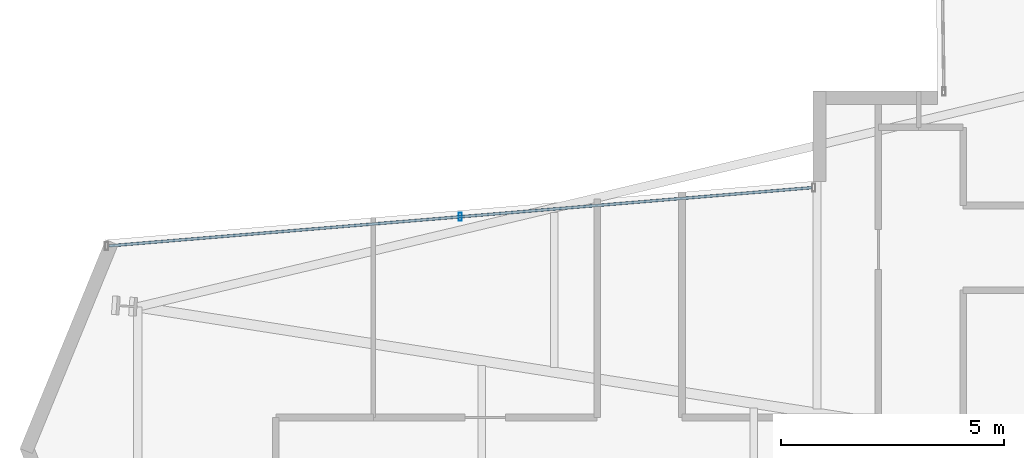
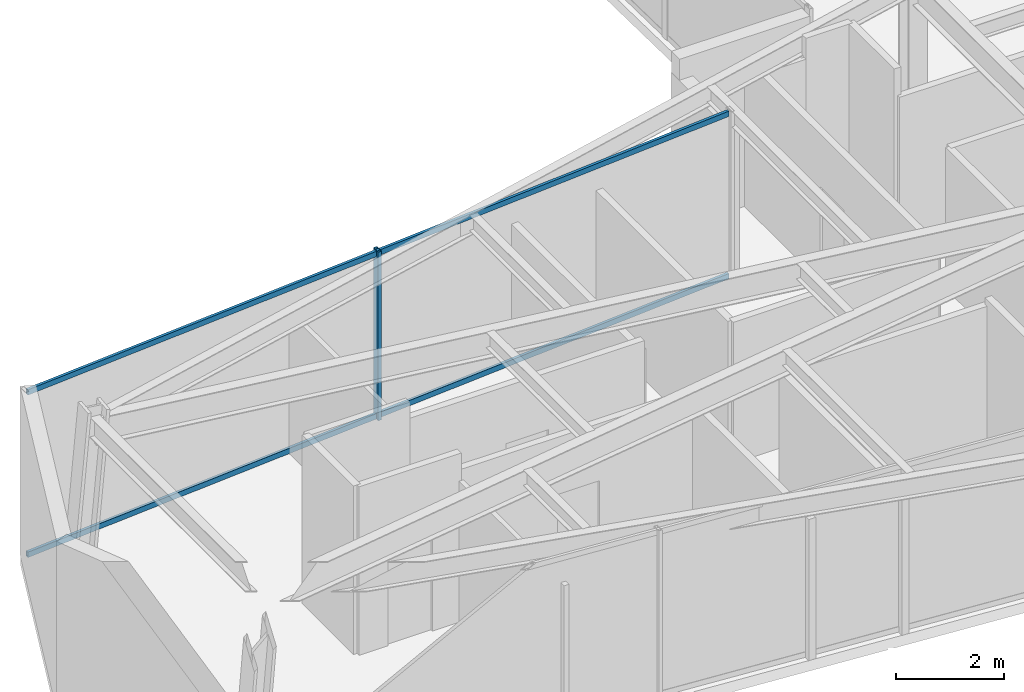
# One storey, part 8 of 24: 3 members, 1 element without a shape of its own.
"""IFC4 building model written with IfcOpenShell, lengths in metres."""

from ifc_helpers import new_model, si_unit, direction, frame, origin, origin_2d, place, context, subcontext, project, spatial, hollow_rectangle, extrude, material, layer, layer_set, material_profile, profile_set, type_object, element, aggregate, save


model = new_model("IFC4")

# Units and contexts
model_context = context("Model", 3, precision=1e-05, world=origin(), true_north=direction((0.0, 1.0)))
body_context = subcontext(model_context, "Body", "Model", "MODEL_VIEW")
ifc_project = project(units=[si_unit("LENGTHUNIT", "METRE"), si_unit("AREAUNIT", "SQUARE_METRE"), si_unit("VOLUMEUNIT", "CUBIC_METRE"), si_unit("PLANEANGLEUNIT", "RADIAN"), si_unit("MASSUNIT", "GRAM", prefix="KILO")], contexts=[model_context])

# Site, building, storey
site_placement = place(None, origin())
site = spatial("IfcSite", under=ifc_project, at=site_placement, CompositionType="ELEMENT")
building_placement = place(site_placement, origin())
building = spatial("IfcBuilding", under=site, at=building_placement, Name="Veymaron Broadcast Tower", CompositionType="ELEMENT")
storey_placement = place(building_placement, frame((0.0, 0.0, 124.949951171875)))
storey = spatial("IfcBuildingStorey", under=building, at=storey_placement, Name="L28", CompositionType="ELEMENT", Elevation=124.949951171875)

# Curtain wall, members
ifc_material_1 = material(Name="Anodised aluminium AA 6063-T6 and laminated low-E dark glass", Category="aluminium")
ifc_layer = layer(ifc_material_1, 0.179931640625)
ifc_layer_set = layer_set([ifc_layer], Name="Anodised aluminium AA 6063-T6 and laminated low-E dark glass")
curtain_wall_type = type_object("IfcCurtainWallType", Name="CW-SYS-03", PredefinedType="NOTDEFINED", material=ifc_layer_set)
curtain_wall_placement = place(storey_placement, origin())
curtain_wall = element("IfcCurtainWall", 1, at=curtain_wall_placement, inside=storey, type_object=curtain_wall_type, Name="L28 dark-glass curtain wall CW-L28-E11-1", PredefinedType="NOTDEFINED")
ifc_material_2 = material(Name="Anodised aluminium AA 6063-T6", Category="aluminium")
ifc_material_profile_1 = material_profile(ifc_material_2, hollow_rectangle(XDim=0.074951171875, YDim=0.179931640625, WallThickness=0.0048828125, at=origin_2d()), Name="AL180X75X5")
ifc_profile_set_1 = profile_set([ifc_material_profile_1], Name="Anodised aluminium AA 6063-T6")
member_type_1 = type_object("IfcMemberType", Name="CW-MUL-02", PredefinedType="MULLION", material=ifc_profile_set_1)
member_1_placement = place(storey_placement, frame((18.131591796875, 29.195068359375, 0.0), z_axis=(0.0, 0.0, 1.0), x_axis=(1.0, 0.0, 0.0)))
member_1 = element("IfcMember", 2, at=member_1_placement, type_object=member_type_1, Name="CW-L28-E11-1 mullion 1", PredefinedType="MULLION", context=body_context, shape_type="SweptSolid", body=[
    extrude(hollow_rectangle(XDim=0.074951171875, YDim=0.179931640625, WallThickness=0.0048828125, at=origin_2d()), origin(), (0.0, 0.0, 1.0), 3.81005859375),
])
ifc_material_profile_2 = material_profile(ifc_material_2, hollow_rectangle(XDim=0.06005859375, YDim=0.1201171875, WallThickness=0.00390625, at=origin_2d()), Name="AL120X60X4")
ifc_profile_set_2 = profile_set([ifc_material_profile_2], Name="Anodised aluminium AA 6063-T6")
member_type_2 = type_object("IfcMemberType", Name="CW-TRN-02", PredefinedType="USERDEFINED", material=ifc_profile_set_2)
member_2_placement = place(storey_placement, frame((26.001708984375, 29.8466796875, 0.070068359375), z_axis=(-0.996588692575, -0.082528648555, 0.0), x_axis=(0.082528648555, -0.996588692575, 0.0)))
member_2 = element("IfcMember", 3, at=member_2_placement, type_object=member_type_2, Name="CW-L28-E11-1 transom B", ObjectType="TRANSOM", PredefinedType="USERDEFINED", context=body_context, shape_type="SweptSolid", body=[
    extrude(hollow_rectangle(XDim=0.06005859375, YDim=0.1201171875, WallThickness=0.00390625, at=origin_2d()), origin(), (0.0, 0.0, 1.0), 15.794189453125),
])
member_3_placement = place(storey_placement, frame((26.001708984375, 29.8466796875, 3.739990234375), z_axis=(-0.996588692575, -0.082528648555, 0.0), x_axis=(0.082528648555, -0.996588692575, 0.0)))
member_3 = element("IfcMember", 4, at=member_3_placement, type_object=member_type_2, Name="CW-L28-E11-1 transom T", ObjectType="TRANSOM", PredefinedType="USERDEFINED", context=body_context, shape_type="SweptSolid", body=[
    extrude(hollow_rectangle(XDim=0.06005859375, YDim=0.1201171875, WallThickness=0.00390625, at=origin_2d()), origin(), (0.0, 0.0, 1.0), 15.794189453125),
])
aggregate(curtain_wall, [member_1, member_2, member_3])

save(model, "model.ifc")
